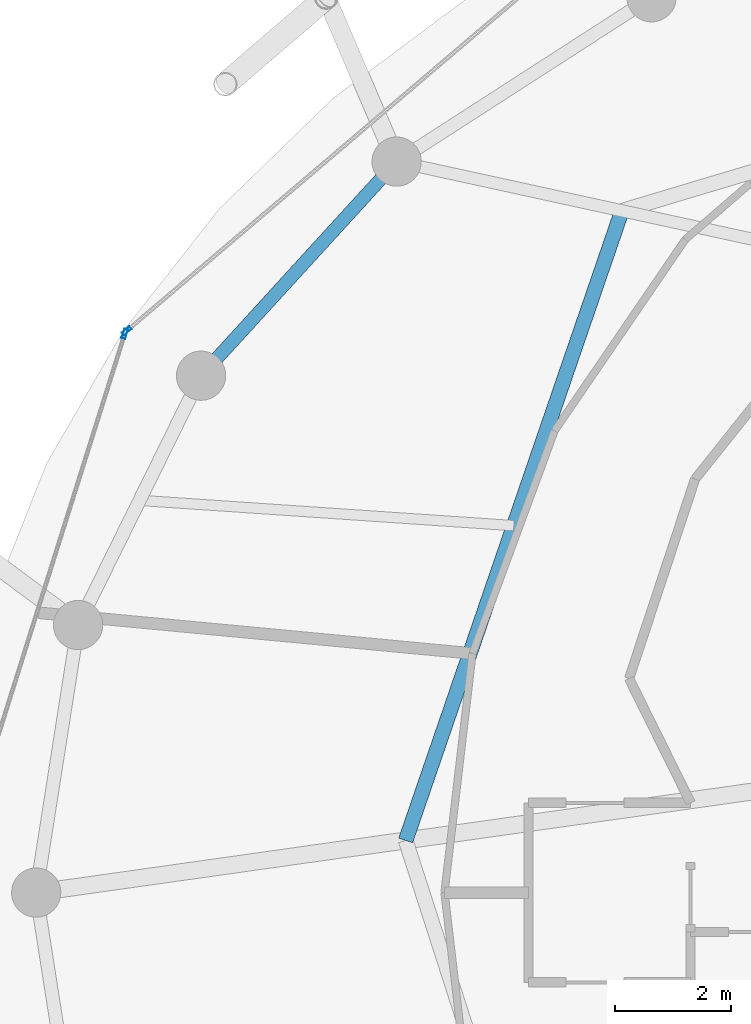
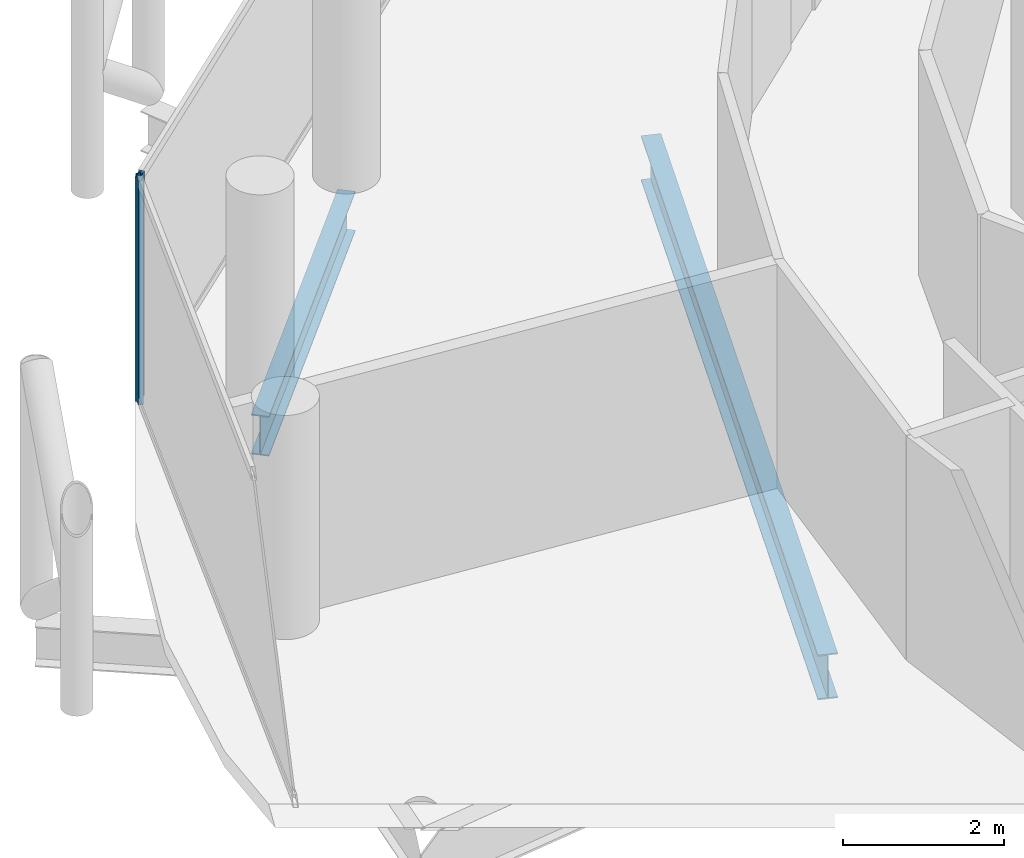
# One storey, part 9 of 27: 2 beams, 2 members, 2 elements without a shape of their own.
"""IFC4 building model written with IfcOpenShell, lengths in metres."""

from ifc_helpers import new_model, si_unit, direction, frame, origin, origin_2d, place, context, subcontext, project, spatial, hollow_rectangle, i_section, extrude, material, layer, layer_set, material_profile, profile_set, type_object, element, aggregate, save


model = new_model("IFC4")

# Units and contexts
model_context = context("Model", 3, precision=1e-05, world=origin(), true_north=direction((0.0, 1.0)))
body_context = subcontext(model_context, "Body", "Model", "MODEL_VIEW")
ifc_project = project(units=[si_unit("LENGTHUNIT", "METRE"), si_unit("AREAUNIT", "SQUARE_METRE"), si_unit("VOLUMEUNIT", "CUBIC_METRE"), si_unit("PLANEANGLEUNIT", "RADIAN"), si_unit("MASSUNIT", "GRAM", prefix="KILO")], contexts=[model_context])

# Site, building, storey
site_placement = place(None, origin())
site = spatial("IfcSite", under=ifc_project, at=site_placement, CompositionType="ELEMENT")
building_placement = place(site_placement, origin())
building = spatial("IfcBuilding", under=site, at=building_placement, Name="Nuhasar Tower", CompositionType="ELEMENT")
storey_placement = place(building_placement, frame((0.0, 0.0, 248.300048828125)))
storey = spatial("IfcBuildingStorey", under=building, at=storey_placement, Name="L61", CompositionType="ELEMENT", Elevation=248.300048828125)

# Beams
ifc_material_1 = material(Name="Steel S355", Category="steel")
ifc_material_profile_1 = material_profile(ifc_material_1, i_section(OverallWidth=0.25390625, OverallDepth=0.68408203125, WebThickness=0.012451171875, FlangeThickness=0.018798828125, at=origin_2d()), Name="W27X94")
ifc_profile_set_1 = profile_set([ifc_material_profile_1], Name="Steel S355")
beam_type_1 = type_object("IfcBeamType", Name="BM-INRING-W27X94", PredefinedType="BEAM", material=ifc_profile_set_1)
beam_1_placement = place(storey_placement, frame((27.864013671875, 38.572998046875, -0.58203125), z_axis=(-0.324809117642, -0.945779592239, 0.0), x_axis=(0.945779592239, -0.324809117642, 0.0)))
element("IfcBeam", 1, at=beam_1_placement, inside=storey, type_object=beam_type_1, Name="L61 Inner Header Beam 07", PredefinedType="BEAM", context=body_context, shape_type="SweptSolid", body=[
    extrude(i_section(OverallWidth=0.25390625, OverallDepth=0.68408203125, WebThickness=0.012451171875, FlangeThickness=0.018798828125, at=origin_2d()), origin(), (0.0, 0.0, 1.0), 11.496337890625),
])
ifc_material_profile_2 = material_profile(ifc_material_1, i_section(OverallWidth=0.22802734375, OverallDepth=0.60791015625, WebThickness=0.01123046875, FlangeThickness=0.017333984375, at=origin_2d()), Name="W24X76")
ifc_profile_set_2 = profile_set([ifc_material_profile_2], Name="Steel S355")
beam_type_2 = type_object("IfcBeamType", Name="BM-RING-W24X76", PredefinedType="SPANDREL", material=ifc_profile_set_2)
beam_2_placement = place(storey_placement, frame((23.97412109375, 39.422119140625, -0.5439453125), z_axis=(-0.674449692975, -0.738320805373, 0.0), x_axis=(0.738320805373, -0.674449692975, 0.0)))
element("IfcBeam", 2, at=beam_2_placement, inside=storey, type_object=beam_type_2, Name="L61 Perimeter Ring Spandrel 10", PredefinedType="SPANDREL", context=body_context, shape_type="SweptSolid", body=[
    extrude(i_section(OverallWidth=0.22802734375, OverallDepth=0.60791015625, WebThickness=0.01123046875, FlangeThickness=0.017333984375, at=origin_2d()), origin(), (0.0, 0.0, 1.0), 5.00732421875),
])

# Curtain wall, member
ifc_material_2 = material(Name="Aluminium 6063-T6", Category="aluminium")
ifc_layer = layer(ifc_material_2, 0.18994140625)
ifc_layer_set = layer_set([ifc_layer], Name="Aluminium 6063-T6")
curtain_wall_type = type_object("IfcCurtainWallType", Name="CW-Z3-RES", PredefinedType="NOTDEFINED", material=ifc_layer_set)
curtain_wall_1_placement = place(storey_placement, origin())
curtain_wall_1 = element("IfcCurtainWall", 3, at=curtain_wall_1_placement, inside=storey, type_object=curtain_wall_type, Name="L61 Unitised Curtain Wall 05", PredefinedType="NOTDEFINED")
ifc_material_profile_3 = material_profile(ifc_material_2, hollow_rectangle(XDim=0.06494140625, YDim=0.169921875, WallThickness=0.0048828125, at=origin_2d()), Name="CWM-4")
ifc_profile_set_3 = profile_set([ifc_material_profile_3], Name="Aluminium 6063-T6")
member_type = type_object("IfcMemberType", Name="CW-MUL-S4", PredefinedType="MULLION", material=ifc_profile_set_3)
member_1_placement = place(storey_placement, frame((19.313720703125, 36.5009765625, 0.0), z_axis=(0.0, 0.0, 1.0), x_axis=(0.64789521578, -0.761729472562, 0.0)))
member_1 = element("IfcMember", 4, at=member_1_placement, type_object=member_type, Name="CW-Z3 mullion 2", PredefinedType="MULLION", context=body_context, shape_type="SweptSolid", body=[
    extrude(hollow_rectangle(XDim=0.06494140625, YDim=0.169921875, WallThickness=0.0048828125, at=origin_2d()), origin(), (0.0, 0.0, 1.0), 3.409912109375),
])
aggregate(curtain_wall_1, [member_1])

curtain_wall_2_placement = place(storey_placement, origin())
curtain_wall_2 = element("IfcCurtainWall", 5, at=curtain_wall_2_placement, inside=storey, type_object=curtain_wall_type, Name="L61 Unitised Curtain Wall 06", PredefinedType="NOTDEFINED")
member_2_placement = place(storey_placement, frame((19.279296875, 36.448974609375, 0.0), z_axis=(0.0, 0.0, 1.0), x_axis=(0.95380429279, -0.30042864553, 0.0)))
member_2 = element("IfcMember", 6, at=member_2_placement, type_object=member_type, Name="CW-Z3 mullion 1", PredefinedType="MULLION", context=body_context, shape_type="SweptSolid", body=[
    extrude(hollow_rectangle(XDim=0.06494140625, YDim=0.169921875, WallThickness=0.0048828125, at=origin_2d()), origin(), (0.0, 0.0, 1.0), 3.409912109375),
])
aggregate(curtain_wall_2, [member_2])

save(model, "model.ifc")
